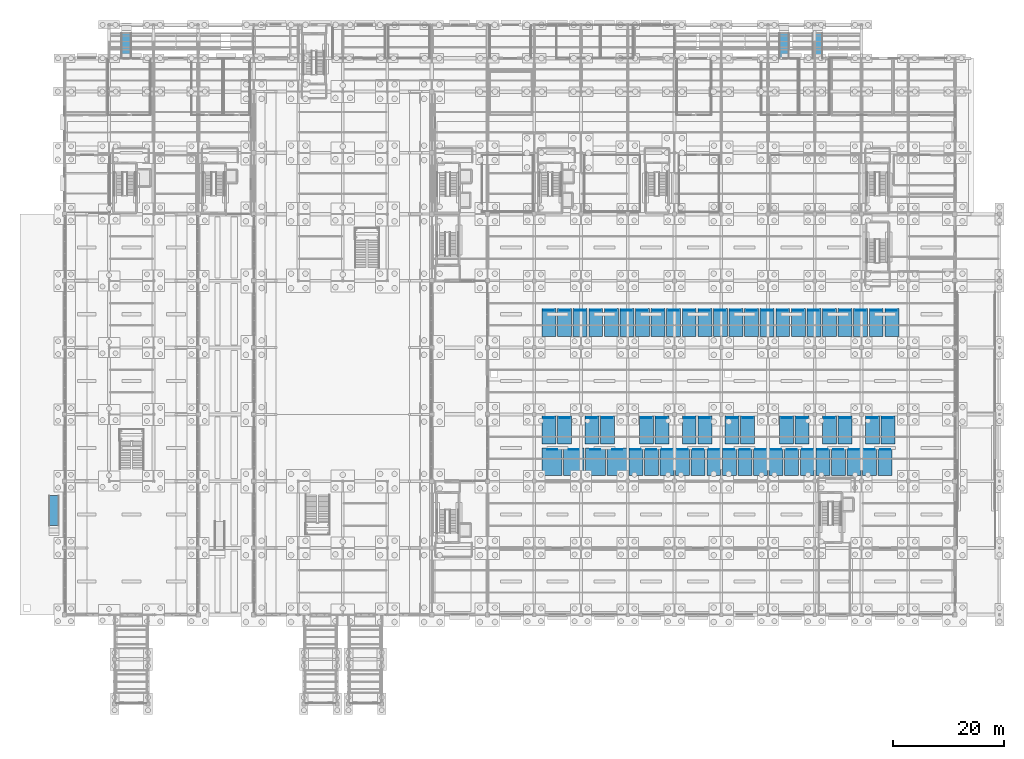
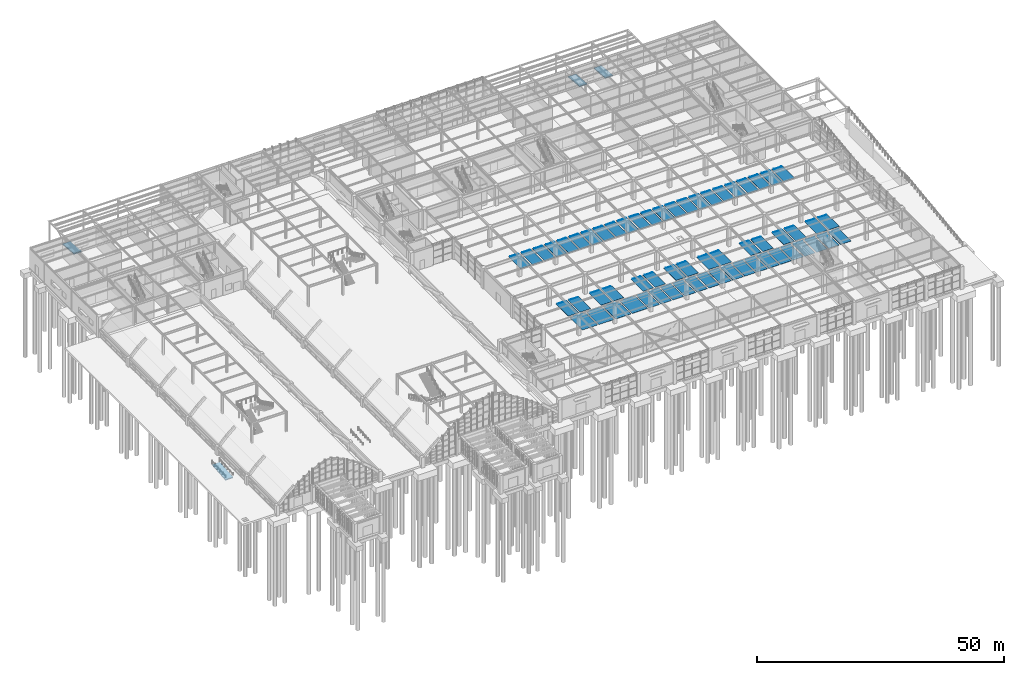
# One storey, part 113 of 129: 120 discrete accessories, 4 ramp flights, 4 elements without a shape of their own.
"""IFC4 building model written with IfcOpenShell, lengths in metres."""

from ifc_helpers import new_model, si_unit, direction, frame, origin, origin_2d, place, context, subcontext, project, spatial, polyline, rectangle, outline, extrude, material, layer, layer_set, type_object, element, aggregate, save


model = new_model("IFC4")

# Units and contexts
model_context = context("Model", 3, precision=1e-05, world=origin(), true_north=direction((0.0, 1.0)))
body_context = subcontext(model_context, "Body", "Model", "MODEL_VIEW")
ifc_project = project(units=[si_unit("LENGTHUNIT", "METRE"), si_unit("AREAUNIT", "SQUARE_METRE"), si_unit("VOLUMEUNIT", "CUBIC_METRE"), si_unit("PLANEANGLEUNIT", "RADIAN"), si_unit("MASSUNIT", "GRAM", prefix="KILO")], contexts=[model_context])

# Site, building, storey
site_placement = place(None, origin())
site = spatial("IfcSite", under=ifc_project, at=site_placement, CompositionType="ELEMENT")
building_placement = place(site_placement, origin())
building = spatial("IfcBuilding", under=site, at=building_placement, Name="Sitalva Quay Ferry Terminal", CompositionType="ELEMENT")
storey_placement = place(building_placement, origin())
storey = spatial("IfcBuildingStorey", under=building, at=storey_placement, Name="L01", CompositionType="ELEMENT", Elevation=0.0)

# Ramp, ramp flight
ifc_material_1 = material(Name="Concrete C35/45", Category="concrete")
ifc_layer_1 = layer(ifc_material_1, 0.25)
ifc_layer_set_1 = layer_set([ifc_layer_1], Name="Concrete C35/45")
ramp_type = type_object("IfcRampType", Name="Ramp_PedestrianAccess_1800", PredefinedType="STRAIGHT_RUN_RAMP", material=ifc_layer_set_1)
ramp_1_placement = place(storey_placement, origin())
ramp_1 = element("IfcRamp", 1, at=ramp_1_placement, inside=storey, type_object=ramp_type, Name="West landside entrance accessible ramp", PredefinedType="STRAIGHT_RUN_RAMP")
ifc_material_2 = material(Name="Concrete C35/45", Category="concrete")
ifc_layer_2 = layer(ifc_material_2, 0.25)
ifc_layer_set_2 = layer_set([ifc_layer_2], Name="Concrete C35/45")
ramp_flight_type = type_object("IfcRampFlightType", Name="Ramp_PedestrianAccess_1800_Flight", PredefinedType="STRAIGHT", material=ifc_layer_set_2)
ramp_flight_1_placement = place(storey_placement, frame((18.199951171875, 105.89990234375, 0.0), z_axis=(0.0, 0.082301308709, 0.99660749274), x_axis=(1.0, 0.0, 0.0)))
ramp_flight_1 = element("IfcRampFlight", 2, at=ramp_flight_1_placement, type_object=ramp_flight_type, Name="West landside entrance accessible ramp flight", PredefinedType="STRAIGHT", context=body_context, shape_type="SweptSolid", body=[
    extrude(outline(polyline([(0.0, 0.0), (1.800048828125, 0.0), (1.800048828125, 4.6157566441775995), (0.0, 4.6157566441775995), (0.0, 0.0)])), origin(), (0.0, 0.082301308709, -0.99660749274), 0.250732421875),
])
aggregate(ramp_1, [ramp_flight_1])

ramp_2_placement = place(storey_placement, origin())
ramp_2 = element("IfcRamp", 3, at=ramp_2_placement, inside=storey, type_object=ramp_type, Name="East landside entrance accessible ramp", PredefinedType="STRAIGHT_RUN_RAMP")
ramp_flight_2_placement = place(storey_placement, frame((136.39990234375, 105.89990234375, 0.0), z_axis=(0.0, 0.082301308709, 0.99660749274), x_axis=(1.0, 0.0, 0.0)))
ramp_flight_2 = element("IfcRampFlight", 4, at=ramp_flight_2_placement, type_object=ramp_flight_type, Name="East landside entrance accessible ramp flight", PredefinedType="STRAIGHT", context=body_context, shape_type="SweptSolid", body=[
    extrude(outline(polyline([(0.0, 0.0), (1.800048828125, 0.0), (1.800048828125, 4.6157566441775995), (0.0, 4.6157566441775995), (0.0, 0.0)])), origin(), (0.0, 0.082301308709, -0.99660749274), 0.250732421875),
])
aggregate(ramp_2, [ramp_flight_2])

ramp_3_placement = place(storey_placement, origin())
ramp_3 = element("IfcRamp", 5, at=ramp_3_placement, inside=storey, type_object=ramp_type, Name="West river quay promenade accessible ramp", PredefinedType="STRAIGHT_RUN_RAMP")
ramp_flight_3_placement = place(storey_placement, frame((5.199951171875, 22.0, -0.449951171875), z_axis=(0.0, -0.083038022323, 0.996546379678), x_axis=(1.0, 0.0, 0.0)))
ramp_flight_3 = element("IfcRampFlight", 6, at=ramp_flight_3_placement, type_object=ramp_flight_type, Name="West river quay promenade accessible ramp flight", PredefinedType="STRAIGHT", context=body_context, shape_type="SweptSolid", body=[
    extrude(outline(polyline([(0.0, 0.0), (1.800048828125, 0.0), (1.800048828125, 5.418616186731483), (0.0, 5.418616186731483), (0.0, 0.0)])), origin(), (0.0, -0.083038022323, -0.996546379678), 0.2509765625),
])
aggregate(ramp_3, [ramp_flight_3])

ramp_4_placement = place(storey_placement, origin())
ramp_4 = element("IfcRamp", 7, at=ramp_4_placement, inside=storey, type_object=ramp_type, Name="East forecourt arrival accessible ramp", PredefinedType="STRAIGHT_RUN_RAMP")
ramp_flight_4_placement = place(storey_placement, frame((142.39990234375, 105.89990234375, 0.0), z_axis=(0.0, 0.082301308709, 0.99660749274), x_axis=(1.0, 0.0, 0.0)))
ramp_flight_4 = element("IfcRampFlight", 8, at=ramp_flight_4_placement, type_object=ramp_flight_type, Name="East forecourt arrival accessible ramp flight", PredefinedType="STRAIGHT", context=body_context, shape_type="SweptSolid", body=[
    extrude(outline(polyline([(0.0, 0.0), (1.800048828125, 0.0), (1.800048828125, 4.6157566441775995), (0.0, 4.6157566441775995), (0.0, 0.0)])), origin(), (0.0, 0.082301308709, -0.99660749274), 0.250732421875),
])
aggregate(ramp_4, [ramp_flight_4])

# Discrete accessories
ifc_material_3 = material(Name="Thermoplastic Deck Marking", Category="polymer")
discrete_accessory_type_1 = type_object("IfcDiscreteAccessoryType", Name="ParkingBay_Accessible_3600x5000", PredefinedType="USERDEFINED", material=ifc_material_3)
for number, where, z_axis, x_axis, name in (
    (9, (95.60009765625, 33.5, 0.0), (0.0, 0.0, 1.0), (1.0, 0.0, 0.0), "Accessible vehicle stall PKA-01"),
    (10, (99.5, 33.5, 0.0), (0.0, 0.0, 1.0), (1.0, 0.0, 0.0), "Accessible vehicle stall PKA-02"),
    (11, (103.39990234375, 33.5, 0.0), (0.0, 0.0, 1.0), (1.0, 0.0, 0.0), "Accessible vehicle stall PKA-03"),
    (12, (107.300048828125, 33.5, 0.0), (0.0, 0.0, 1.0), (1.0, 0.0, 0.0), "Accessible vehicle stall PKA-04"),
):
    element("IfcDiscreteAccessory", number, at=place(storey_placement, frame(where, z_axis=z_axis, x_axis=x_axis)), inside=storey, type_object=discrete_accessory_type_1, Name=name, ObjectType="PARKING_BAY", PredefinedType="USERDEFINED", context=body_context, shape_type="SweptSolid", body=[
        extrude(rectangle(XDim=3.60009765625, YDim=5.0, at=origin_2d()), origin(), (0.0, 0.0, 1.0), 0.02001953125),
    ])
ifc_material_4 = material(Name="Thermoplastic Deck Marking", Category="polymer")
discrete_accessory_type_2 = type_object("IfcDiscreteAccessoryType", Name="ParkingBay_Standard_2500x5000", PredefinedType="USERDEFINED", material=ifc_material_4)
for number, where, z_axis, x_axis, name in (
    (13, (110.64990234375, 33.5, 0.0), (0.0, 0.0, 1.0), (1.0, 0.0, 0.0), "Standard vehicle stall PKS-001"),
    (14, (113.449951171875, 33.5, 0.0), (0.0, 0.0, 1.0), (1.0, 0.0, 0.0), "Standard vehicle stall PKS-002"),
    (15, (116.25, 33.5, 0.0), (0.0, 0.0, 1.0), (1.0, 0.0, 0.0), "Standard vehicle stall PKS-003"),
    (16, (119.050048828125, 33.5, 0.0), (0.0, 0.0, 1.0), (1.0, 0.0, 0.0), "Standard vehicle stall PKS-004"),
    (17, (121.85009765625, 33.5, 0.0), (0.0, 0.0, 1.0), (1.0, 0.0, 0.0), "Standard vehicle stall PKS-005"),
    (18, (124.64990234375, 33.5, 0.0), (0.0, 0.0, 1.0), (1.0, 0.0, 0.0), "Standard vehicle stall PKS-006"),
    (19, (127.449951171875, 33.5, 0.0), (0.0, 0.0, 1.0), (1.0, 0.0, 0.0), "Standard vehicle stall PKS-007"),
    (20, (130.25, 33.5, 0.0), (0.0, 0.0, 1.0), (1.0, 0.0, 0.0), "Standard vehicle stall PKS-008"),
    (21, (133.050048828125, 33.5, 0.0), (0.0, 0.0, 1.0), (1.0, 0.0, 0.0), "Standard vehicle stall PKS-009"),
    (22, (135.85009765625, 33.5, 0.0), (0.0, 0.0, 1.0), (1.0, 0.0, 0.0), "Standard vehicle stall PKS-010"),
    (23, (138.64990234375, 33.5, 0.0), (0.0, 0.0, 1.0), (1.0, 0.0, 0.0), "Standard vehicle stall PKS-011"),
    (24, (141.449951171875, 33.5, 0.0), (0.0, 0.0, 1.0), (1.0, 0.0, 0.0), "Standard vehicle stall PKS-012"),
    (25, (144.25, 33.5, 0.0), (0.0, 0.0, 1.0), (1.0, 0.0, 0.0), "Standard vehicle stall PKS-013"),
    (26, (147.050048828125, 33.5, 0.0), (0.0, 0.0, 1.0), (1.0, 0.0, 0.0), "Standard vehicle stall PKS-014"),
    (27, (149.85009765625, 33.5, 0.0), (0.0, 0.0, 1.0), (1.0, 0.0, 0.0), "Standard vehicle stall PKS-015"),
    (28, (152.64990234375, 33.5, 0.0), (0.0, 0.0, 1.0), (1.0, 0.0, 0.0), "Standard vehicle stall PKS-016"),
    (29, (155.449951171875, 33.5, 0.0), (0.0, 0.0, 1.0), (1.0, 0.0, 0.0), "Standard vehicle stall PKS-017"),
    (30, (95.050048828125, 39.199951171875, 0.0), (0.0, 0.0, 1.0), (1.0, 0.0, 0.0), "Standard vehicle stall PKS-018"),
    (31, (97.85009765625, 39.199951171875, 0.0), (0.0, 0.0, 1.0), (1.0, 0.0, 0.0), "Standard vehicle stall PKS-019"),
    (32, (102.75, 39.199951171875, 0.0), (0.0, 0.0, 1.0), (1.0, 0.0, 0.0), "Standard vehicle stall PKS-020"),
    (33, (105.550048828125, 39.199951171875, 0.0), (0.0, 0.0, 1.0), (1.0, 0.0, 0.0), "Standard vehicle stall PKS-021"),
    (34, (112.550048828125, 39.199951171875, 0.0), (0.0, 0.0, 1.0), (1.0, 0.0, 0.0), "Standard vehicle stall PKS-022"),
    (35, (115.35009765625, 39.199951171875, 0.0), (0.0, 0.0, 1.0), (1.0, 0.0, 0.0), "Standard vehicle stall PKS-023"),
    (36, (120.25, 39.199951171875, 0.0), (0.0, 0.0, 1.0), (1.0, 0.0, 0.0), "Standard vehicle stall PKS-024"),
    (37, (123.050048828125, 39.199951171875, 0.0), (0.0, 0.0, 1.0), (1.0, 0.0, 0.0), "Standard vehicle stall PKS-025"),
    (38, (127.949951171875, 39.199951171875, 0.0), (0.0, 0.0, 1.0), (1.0, 0.0, 0.0), "Standard vehicle stall PKS-026"),
    (39, (130.75, 39.199951171875, 0.0), (0.0, 0.0, 1.0), (1.0, 0.0, 0.0), "Standard vehicle stall PKS-027"),
    (40, (137.75, 39.199951171875, 0.0), (0.0, 0.0, 1.0), (1.0, 0.0, 0.0), "Standard vehicle stall PKS-028"),
    (41, (140.550048828125, 39.199951171875, 0.0), (0.0, 0.0, 1.0), (1.0, 0.0, 0.0), "Standard vehicle stall PKS-029"),
    (42, (145.449951171875, 39.199951171875, 0.0), (0.0, 0.0, 1.0), (1.0, 0.0, 0.0), "Standard vehicle stall PKS-030"),
    (43, (148.25, 39.199951171875, 0.0), (0.0, 0.0, 1.0), (1.0, 0.0, 0.0), "Standard vehicle stall PKS-031"),
    (44, (153.14990234375, 39.199951171875, 0.0), (0.0, 0.0, 1.0), (1.0, 0.0, 0.0), "Standard vehicle stall PKS-032"),
    (45, (155.949951171875, 39.199951171875, 0.0), (0.0, 0.0, 1.0), (1.0, 0.0, 0.0), "Standard vehicle stall PKS-033"),
    (46, (95.050048828125, 58.5, 0.0), (0.0, 0.0, 1.0), (1.0, 0.0, 0.0), "Standard vehicle stall PKS-034"),
    (47, (97.85009765625, 58.5, 0.0), (0.0, 0.0, 1.0), (1.0, 0.0, 0.0), "Standard vehicle stall PKS-035"),
    (48, (100.64990234375, 58.5, 0.0), (0.0, 0.0, 1.0), (1.0, 0.0, 0.0), "Standard vehicle stall PKS-036"),
    (49, (103.449951171875, 58.5, 0.0), (0.0, 0.0, 1.0), (1.0, 0.0, 0.0), "Standard vehicle stall PKS-037"),
    (50, (106.25, 58.5, 0.0), (0.0, 0.0, 1.0), (1.0, 0.0, 0.0), "Standard vehicle stall PKS-038"),
    (51, (109.050048828125, 58.5, 0.0), (0.0, 0.0, 1.0), (1.0, 0.0, 0.0), "Standard vehicle stall PKS-039"),
    (52, (111.85009765625, 58.5, 0.0), (0.0, 0.0, 1.0), (1.0, 0.0, 0.0), "Standard vehicle stall PKS-040"),
    (53, (114.64990234375, 58.5, 0.0), (0.0, 0.0, 1.0), (1.0, 0.0, 0.0), "Standard vehicle stall PKS-041"),
    (54, (117.449951171875, 58.5, 0.0), (0.0, 0.0, 1.0), (1.0, 0.0, 0.0), "Standard vehicle stall PKS-042"),
    (55, (120.25, 58.5, 0.0), (0.0, 0.0, 1.0), (1.0, 0.0, 0.0), "Standard vehicle stall PKS-043"),
    (56, (123.050048828125, 58.5, 0.0), (0.0, 0.0, 1.0), (1.0, 0.0, 0.0), "Standard vehicle stall PKS-044"),
    (57, (125.85009765625, 58.5, 0.0), (0.0, 0.0, 1.0), (1.0, 0.0, 0.0), "Standard vehicle stall PKS-045"),
    (58, (128.64990234375, 58.5, 0.0), (0.0, 0.0, 1.0), (1.0, 0.0, 0.0), "Standard vehicle stall PKS-046"),
    (59, (131.449951171875, 58.5, 0.0), (0.0, 0.0, 1.0), (1.0, 0.0, 0.0), "Standard vehicle stall PKS-047"),
    (60, (134.25, 58.5, 0.0), (0.0, 0.0, 1.0), (1.0, 0.0, 0.0), "Standard vehicle stall PKS-048"),
    (61, (137.050048828125, 58.5, 0.0), (0.0, 0.0, 1.0), (1.0, 0.0, 0.0), "Standard vehicle stall PKS-049"),
    (62, (139.85009765625, 58.5, 0.0), (0.0, 0.0, 1.0), (1.0, 0.0, 0.0), "Standard vehicle stall PKS-050"),
    (63, (142.64990234375, 58.5, 0.0), (0.0, 0.0, 1.0), (1.0, 0.0, 0.0), "Standard vehicle stall PKS-051"),
    (64, (145.449951171875, 58.5, 0.0), (0.0, 0.0, 1.0), (1.0, 0.0, 0.0), "Standard vehicle stall PKS-052"),
    (65, (148.25, 58.5, 0.0), (0.0, 0.0, 1.0), (1.0, 0.0, 0.0), "Standard vehicle stall PKS-053"),
    (66, (151.050048828125, 58.5, 0.0), (0.0, 0.0, 1.0), (1.0, 0.0, 0.0), "Standard vehicle stall PKS-054"),
    (67, (153.85009765625, 58.5, 0.0), (0.0, 0.0, 1.0), (1.0, 0.0, 0.0), "Standard vehicle stall PKS-055"),
    (68, (156.64990234375, 58.5, 0.0), (0.0, 0.0, 1.0), (1.0, 0.0, 0.0), "Standard vehicle stall PKS-056"),
):
    element("IfcDiscreteAccessory", number, at=place(storey_placement, frame(where, z_axis=z_axis, x_axis=x_axis)), inside=storey, type_object=discrete_accessory_type_2, Name=name, ObjectType="PARKING_BAY", PredefinedType="USERDEFINED", context=body_context, shape_type="SweptSolid", body=[
        extrude(rectangle(XDim=2.5, YDim=5.0, at=origin_2d()), origin(), (0.0, 0.0, 1.0), 0.02001953125),
    ])
ifc_material_5 = material(Name="Precast Concrete C35/45", Category="concrete")
discrete_accessory_type_3 = type_object("IfcDiscreteAccessoryType", Name="WheelStop_1800x150x100", PredefinedType="USERDEFINED", material=ifc_material_5)
for number, where, z_axis, x_axis, name in (
    (69, (95.60009765625, 35.699951171875, 0.0), (0.0, 0.0, 1.0), (1.0, 0.0, 0.0), "Precast wheel stop WS-001"),
    (70, (99.5, 35.699951171875, 0.0), (0.0, 0.0, 1.0), (1.0, 0.0, 0.0), "Precast wheel stop WS-002"),
    (71, (103.39990234375, 35.699951171875, 0.0), (0.0, 0.0, 1.0), (1.0, 0.0, 0.0), "Precast wheel stop WS-003"),
    (72, (107.300048828125, 35.699951171875, 0.0), (0.0, 0.0, 1.0), (1.0, 0.0, 0.0), "Precast wheel stop WS-004"),
    (73, (110.64990234375, 35.699951171875, 0.0), (0.0, 0.0, 1.0), (1.0, 0.0, 0.0), "Precast wheel stop WS-005"),
    (74, (113.449951171875, 35.699951171875, 0.0), (0.0, 0.0, 1.0), (1.0, 0.0, 0.0), "Precast wheel stop WS-006"),
    (75, (116.25, 35.699951171875, 0.0), (0.0, 0.0, 1.0), (1.0, 0.0, 0.0), "Precast wheel stop WS-007"),
    (76, (119.050048828125, 35.699951171875, 0.0), (0.0, 0.0, 1.0), (1.0, 0.0, 0.0), "Precast wheel stop WS-008"),
    (77, (121.85009765625, 35.699951171875, 0.0), (0.0, 0.0, 1.0), (1.0, 0.0, 0.0), "Precast wheel stop WS-009"),
    (78, (124.64990234375, 35.699951171875, 0.0), (0.0, 0.0, 1.0), (1.0, 0.0, 0.0), "Precast wheel stop WS-010"),
    (79, (127.449951171875, 35.699951171875, 0.0), (0.0, 0.0, 1.0), (1.0, 0.0, 0.0), "Precast wheel stop WS-011"),
    (80, (130.25, 35.699951171875, 0.0), (0.0, 0.0, 1.0), (1.0, 0.0, 0.0), "Precast wheel stop WS-012"),
    (81, (133.050048828125, 35.699951171875, 0.0), (0.0, 0.0, 1.0), (1.0, 0.0, 0.0), "Precast wheel stop WS-013"),
    (82, (135.85009765625, 35.699951171875, 0.0), (0.0, 0.0, 1.0), (1.0, 0.0, 0.0), "Precast wheel stop WS-014"),
    (83, (138.64990234375, 35.699951171875, 0.0), (0.0, 0.0, 1.0), (1.0, 0.0, 0.0), "Precast wheel stop WS-015"),
    (84, (141.449951171875, 35.699951171875, 0.0), (0.0, 0.0, 1.0), (1.0, 0.0, 0.0), "Precast wheel stop WS-016"),
    (85, (144.25, 35.699951171875, 0.0), (0.0, 0.0, 1.0), (1.0, 0.0, 0.0), "Precast wheel stop WS-017"),
    (86, (147.050048828125, 35.699951171875, 0.0), (0.0, 0.0, 1.0), (1.0, 0.0, 0.0), "Precast wheel stop WS-018"),
    (87, (149.85009765625, 35.699951171875, 0.0), (0.0, 0.0, 1.0), (1.0, 0.0, 0.0), "Precast wheel stop WS-019"),
    (88, (152.64990234375, 35.699951171875, 0.0), (0.0, 0.0, 1.0), (1.0, 0.0, 0.0), "Precast wheel stop WS-020"),
    (89, (155.449951171875, 35.699951171875, 0.0), (0.0, 0.0, 1.0), (1.0, 0.0, 0.0), "Precast wheel stop WS-021"),
    (90, (95.050048828125, 41.39990234375, 0.0), (0.0, 0.0, 1.0), (1.0, 0.0, 0.0), "Precast wheel stop WS-022"),
    (91, (97.85009765625, 41.39990234375, 0.0), (0.0, 0.0, 1.0), (1.0, 0.0, 0.0), "Precast wheel stop WS-023"),
    (92, (102.75, 41.39990234375, 0.0), (0.0, 0.0, 1.0), (1.0, 0.0, 0.0), "Precast wheel stop WS-024"),
    (93, (105.550048828125, 41.39990234375, 0.0), (0.0, 0.0, 1.0), (1.0, 0.0, 0.0), "Precast wheel stop WS-025"),
    (94, (112.550048828125, 41.39990234375, 0.0), (0.0, 0.0, 1.0), (1.0, 0.0, 0.0), "Precast wheel stop WS-026"),
    (95, (115.35009765625, 41.39990234375, 0.0), (0.0, 0.0, 1.0), (1.0, 0.0, 0.0), "Precast wheel stop WS-027"),
    (96, (120.25, 41.39990234375, 0.0), (0.0, 0.0, 1.0), (1.0, 0.0, 0.0), "Precast wheel stop WS-028"),
    (97, (123.050048828125, 41.39990234375, 0.0), (0.0, 0.0, 1.0), (1.0, 0.0, 0.0), "Precast wheel stop WS-029"),
    (98, (127.949951171875, 41.39990234375, 0.0), (0.0, 0.0, 1.0), (1.0, 0.0, 0.0), "Precast wheel stop WS-030"),
    (99, (130.75, 41.39990234375, 0.0), (0.0, 0.0, 1.0), (1.0, 0.0, 0.0), "Precast wheel stop WS-031"),
    (100, (137.75, 41.39990234375, 0.0), (0.0, 0.0, 1.0), (1.0, 0.0, 0.0), "Precast wheel stop WS-032"),
    (101, (140.550048828125, 41.39990234375, 0.0), (0.0, 0.0, 1.0), (1.0, 0.0, 0.0), "Precast wheel stop WS-033"),
    (102, (145.449951171875, 41.39990234375, 0.0), (0.0, 0.0, 1.0), (1.0, 0.0, 0.0), "Precast wheel stop WS-034"),
    (103, (148.25, 41.39990234375, 0.0), (0.0, 0.0, 1.0), (1.0, 0.0, 0.0), "Precast wheel stop WS-035"),
    (104, (153.14990234375, 41.39990234375, 0.0), (0.0, 0.0, 1.0), (1.0, 0.0, 0.0), "Precast wheel stop WS-036"),
    (105, (155.949951171875, 41.39990234375, 0.0), (0.0, 0.0, 1.0), (1.0, 0.0, 0.0), "Precast wheel stop WS-037"),
    (106, (95.050048828125, 60.699951171875, 0.0), (0.0, 0.0, 1.0), (1.0, 0.0, 0.0), "Precast wheel stop WS-038"),
    (107, (97.85009765625, 60.699951171875, 0.0), (0.0, 0.0, 1.0), (1.0, 0.0, 0.0), "Precast wheel stop WS-039"),
    (108, (100.64990234375, 60.699951171875, 0.0), (0.0, 0.0, 1.0), (1.0, 0.0, 0.0), "Precast wheel stop WS-040"),
    (109, (103.449951171875, 60.699951171875, 0.0), (0.0, 0.0, 1.0), (1.0, 0.0, 0.0), "Precast wheel stop WS-041"),
    (110, (106.25, 60.699951171875, 0.0), (0.0, 0.0, 1.0), (1.0, 0.0, 0.0), "Precast wheel stop WS-042"),
    (111, (109.050048828125, 60.699951171875, 0.0), (0.0, 0.0, 1.0), (1.0, 0.0, 0.0), "Precast wheel stop WS-043"),
    (112, (111.85009765625, 60.699951171875, 0.0), (0.0, 0.0, 1.0), (1.0, 0.0, 0.0), "Precast wheel stop WS-044"),
    (113, (114.64990234375, 60.699951171875, 0.0), (0.0, 0.0, 1.0), (1.0, 0.0, 0.0), "Precast wheel stop WS-045"),
    (114, (117.449951171875, 60.699951171875, 0.0), (0.0, 0.0, 1.0), (1.0, 0.0, 0.0), "Precast wheel stop WS-046"),
    (115, (120.25, 60.699951171875, 0.0), (0.0, 0.0, 1.0), (1.0, 0.0, 0.0), "Precast wheel stop WS-047"),
    (116, (123.050048828125, 60.699951171875, 0.0), (0.0, 0.0, 1.0), (1.0, 0.0, 0.0), "Precast wheel stop WS-048"),
    (117, (125.85009765625, 60.699951171875, 0.0), (0.0, 0.0, 1.0), (1.0, 0.0, 0.0), "Precast wheel stop WS-049"),
    (118, (128.64990234375, 60.699951171875, 0.0), (0.0, 0.0, 1.0), (1.0, 0.0, 0.0), "Precast wheel stop WS-050"),
    (119, (131.449951171875, 60.699951171875, 0.0), (0.0, 0.0, 1.0), (1.0, 0.0, 0.0), "Precast wheel stop WS-051"),
    (120, (134.25, 60.699951171875, 0.0), (0.0, 0.0, 1.0), (1.0, 0.0, 0.0), "Precast wheel stop WS-052"),
    (121, (137.050048828125, 60.699951171875, 0.0), (0.0, 0.0, 1.0), (1.0, 0.0, 0.0), "Precast wheel stop WS-053"),
    (122, (139.85009765625, 60.699951171875, 0.0), (0.0, 0.0, 1.0), (1.0, 0.0, 0.0), "Precast wheel stop WS-054"),
    (123, (142.64990234375, 60.699951171875, 0.0), (0.0, 0.0, 1.0), (1.0, 0.0, 0.0), "Precast wheel stop WS-055"),
    (124, (145.449951171875, 60.699951171875, 0.0), (0.0, 0.0, 1.0), (1.0, 0.0, 0.0), "Precast wheel stop WS-056"),
    (125, (148.25, 60.699951171875, 0.0), (0.0, 0.0, 1.0), (1.0, 0.0, 0.0), "Precast wheel stop WS-057"),
    (126, (151.050048828125, 60.699951171875, 0.0), (0.0, 0.0, 1.0), (1.0, 0.0, 0.0), "Precast wheel stop WS-058"),
    (127, (153.85009765625, 60.699951171875, 0.0), (0.0, 0.0, 1.0), (1.0, 0.0, 0.0), "Precast wheel stop WS-059"),
    (128, (156.64990234375, 60.699951171875, 0.0), (0.0, 0.0, 1.0), (1.0, 0.0, 0.0), "Precast wheel stop WS-060"),
):
    element("IfcDiscreteAccessory", number, at=place(storey_placement, frame(where, z_axis=z_axis, x_axis=x_axis)), inside=storey, type_object=discrete_accessory_type_3, Name=name, ObjectType="WHEEL_STOP", PredefinedType="USERDEFINED", context=body_context, shape_type="SweptSolid", body=[
        extrude(rectangle(XDim=1.800048828125, YDim=0.14990234375, at=origin_2d()), origin(), (0.0, 0.0, 1.0), 0.10009765625),
    ])

save(model, "model.ifc")
